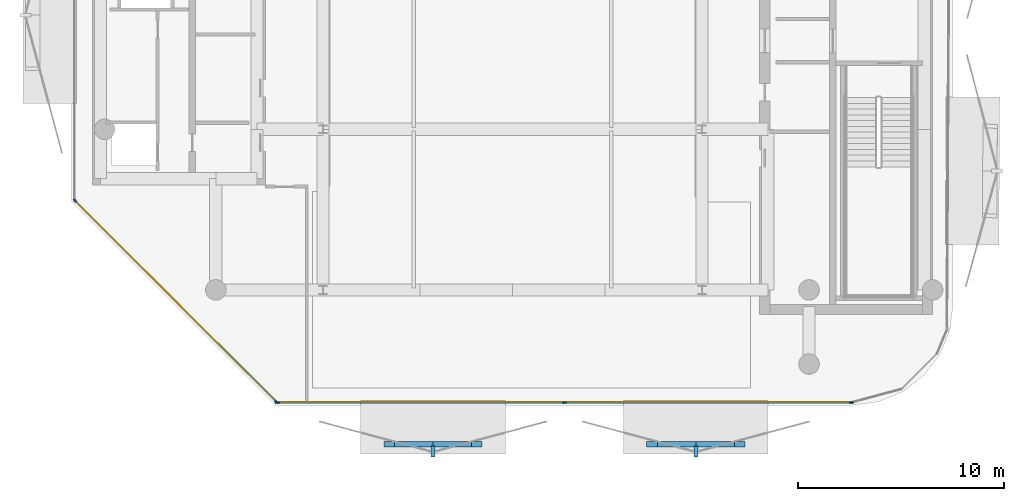
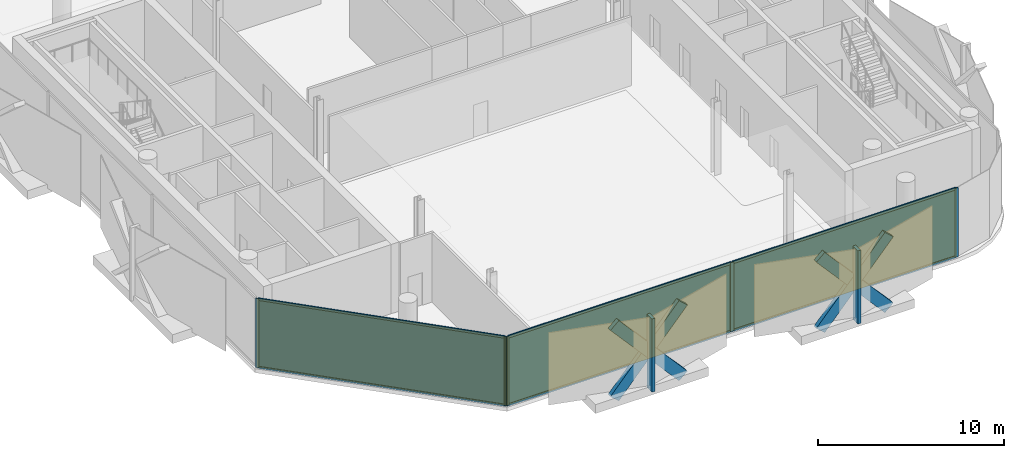
# One storey, part 7 of 15: 17 members, 3 plates, 2 curtain walls.
"""IFC4 building model written with IfcOpenShell, lengths in metres."""

from ifc_helpers import new_model, si_unit, direction, frame, frame_2d, origin, origin_2d, place, context, subcontext, project, spatial, rectangle, extrude, material, layer, layer_set, material_profile, profile_set, type_object, element, aggregate, save


model = new_model("IFC4")

# Units and contexts
model_context = context("Model", 3, precision=1e-05, world=origin(), true_north=direction((0.0, 1.0)))
body_context = subcontext(model_context, "Body", "Model", "MODEL_VIEW")
ifc_project = project(units=[si_unit("LENGTHUNIT", "METRE"), si_unit("AREAUNIT", "SQUARE_METRE"), si_unit("VOLUMEUNIT", "CUBIC_METRE"), si_unit("PLANEANGLEUNIT", "RADIAN"), si_unit("MASSUNIT", "GRAM", prefix="KILO")], contexts=[model_context])

# Member
ifc_material_1 = material(Name="Anodised Bronze Aluminium 6063-T6", Category="aluminium")
ifc_material_profile_1 = material_profile(ifc_material_1, rectangle(XDim=0.260009765625, YDim=0.699951171875, at=origin_2d()))
ifc_profile_set_1 = profile_set([ifc_material_profile_1], Name="Anodised Bronze Aluminium 6063-T6")
member_type_1 = type_object("IfcMemberType", Name="Bronze Diamond Solar-Screen Lattice Rib BDL-700", PredefinedType="MULLION", material=ifc_profile_set_1)
site_placement = place(None, origin())
building_placement = place(site_placement, origin())
storey_placement = place(building_placement, frame((0.0, 0.0, 315.60009765625)))
member_1_placement = place(storey_placement, frame((11.035400390625, -26.10009765625, -0.130126953125), z_axis=(-0.663397123652, 0.0, 0.74826750319), x_axis=(0.0, 1.0, 0.0)))
member_1 = element("IfcMember", 1, at=member_1_placement, type_object=member_type_1, Name="L76 Bronze Diamond Solar Screen Lattice Rib 534A", PredefinedType="MULLION", context=body_context, shape_type="SweptSolid", body=[
    extrude(rectangle(XDim=0.260009765625, YDim=0.699951171875, at=origin_2d()), origin(), (0.0, 0.0, 1.0), 6.414794921875),
])

member_2_placement = place(storey_placement, frame((6.77978515625, -26.10009765625, -0.130126953125), z_axis=(0.663397123652, 0.0, 0.74826750319), x_axis=(0.0, -1.0, 0.0)))
member_2 = element("IfcMember", 2, at=member_2_placement, type_object=member_type_1, Name="L76 Bronze Diamond Solar Screen Lattice Rib 534B", PredefinedType="MULLION", context=body_context, shape_type="SweptSolid", body=[
    extrude(rectangle(XDim=0.260009765625, YDim=0.699951171875, at=origin_2d()), origin(), (0.0, 0.0, 1.0), 6.414794921875),
])

member_3_placement = place(storey_placement, frame((-1.731201171875, -26.10009765625, -0.130126953125), z_axis=(-0.663375813747, 0.0, 0.74828639553), x_axis=(0.0, 1.0, 0.0)))
member_3 = element("IfcMember", 3, at=member_3_placement, type_object=member_type_1, Name="L76 Bronze Diamond Solar Screen Lattice Rib 535A", PredefinedType="MULLION", context=body_context, shape_type="SweptSolid", body=[
    extrude(rectangle(XDim=0.260009765625, YDim=0.699951171875, at=origin_2d()), origin(), (0.0, 0.0, 1.0), 6.414794921875),
])

member_4_placement = place(storey_placement, frame((-5.986572265625, -26.10009765625, -0.130126953125), z_axis=(0.663375813747, 0.0, 0.74828639553), x_axis=(0.0, -1.0, 0.0)))
member_4 = element("IfcMember", 4, at=member_4_placement, type_object=member_type_1, Name="L76 Bronze Diamond Solar Screen Lattice Rib 535B", PredefinedType="MULLION", context=body_context, shape_type="SweptSolid", body=[
    extrude(rectangle(XDim=0.260009765625, YDim=0.699951171875, at=origin_2d()), origin(), (0.0, 0.0, 1.0), 6.414794921875),
])

ifc_material_2 = material(Name="Anodised Bronze Aluminium 6063-T6", Category="aluminium")
ifc_material_profile_2 = material_profile(ifc_material_2, rectangle(XDim=0.179931640625, YDim=0.5400390625, at=origin_2d()))
ifc_profile_set_2 = profile_set([ifc_material_profile_2], Name="Anodised Bronze Aluminium 6063-T6")
member_type_2 = type_object("IfcMemberType", Name="Bronze Solar-Screen Vertical Fold Fin BSF-540", PredefinedType="MULLION", material=ifc_profile_set_2)
member_5_placement = place(storey_placement, frame((8.90771484375, -26.43994140625, -0.130126953125), z_axis=(0.0, 0.0, 1.0), x_axis=(-1.0, 0.0, 0.0)))
member_5 = element("IfcMember", 5, at=member_5_placement, type_object=member_type_2, Name="L76 Bronze Solar Screen Vertical Fin 534", PredefinedType="MULLION", context=body_context, shape_type="SweptSolid", body=[
    extrude(rectangle(XDim=0.179931640625, YDim=0.5400390625, at=origin_2d()), origin(), (0.0, 0.0, 1.0), 4.800048828125),
])

member_6_placement = place(storey_placement, frame((-3.85888671875, -26.43994140625, -0.130126953125), z_axis=(0.0, 0.0, 1.0), x_axis=(-1.0, 0.0, 0.0)))
member_6 = element("IfcMember", 6, at=member_6_placement, type_object=member_type_2, Name="L76 Bronze Solar Screen Vertical Fin 535", PredefinedType="MULLION", context=body_context, shape_type="SweptSolid", body=[
    extrude(rectangle(XDim=0.179931640625, YDim=0.5400390625, at=origin_2d()), origin(), (0.0, 0.0, 1.0), 4.800048828125),
])

ifc_material_3 = material(Name="Anodised Bronze Aluminium 6063-T6", Category="aluminium")
ifc_material_profile_3 = material_profile(ifc_material_3, rectangle(XDim=0.074951171875, YDim=0.2099609375, at=origin_2d()))
ifc_profile_set_3 = profile_set([ifc_material_profile_3], Name="Anodised Bronze Aluminium 6063-T6")
member_type_3 = type_object("IfcMemberType", Name="CW-CRN Mullion 75x210", PredefinedType="MULLION", material=ifc_profile_set_3)
member_7_placement = place(storey_placement, frame((16.453369140625, -24.06005859375, 0.0), z_axis=(0.0, 0.0, 1.0), x_axis=(0.0, -1.0, 0.0)))
member_7 = element("IfcMember", 7, at=member_7_placement, type_object=member_type_3, Name="CW-CRN mullion 1", PredefinedType="MULLION", context=body_context, shape_type="SweptSolid", body=[
    extrude(rectangle(XDim=0.074951171875, YDim=0.2099609375, at=origin_2d()), origin(), (0.0, 0.0, 1.0), 4.539794921875),
])

member_8_placement = place(storey_placement, frame((2.5244140625, -24.06005859375, 0.0), z_axis=(0.0, 0.0, 1.0), x_axis=(0.0, -1.0, 0.0)))
member_8 = element("IfcMember", 8, at=member_8_placement, type_object=member_type_3, Name="CW-CRN mullion 2", PredefinedType="MULLION", context=body_context, shape_type="SweptSolid", body=[
    extrude(rectangle(XDim=0.074951171875, YDim=0.2099609375, at=origin_2d()), origin(), (0.0, 0.0, 1.0), 4.539794921875),
])

member_9_placement = place(storey_placement, frame((-11.404541015625, -24.06005859375, 0.0), z_axis=(0.0, 0.0, 1.0), x_axis=(0.0, -1.0, 0.0)))
member_9 = element("IfcMember", 9, at=member_9_placement, type_object=member_type_3, Name="CW-CRN mullion 3", PredefinedType="MULLION", context=body_context, shape_type="SweptSolid", body=[
    extrude(rectangle(XDim=0.074951171875, YDim=0.2099609375, at=origin_2d()), origin(), (0.0, 0.0, 1.0), 4.539794921875),
])

ifc_material_4 = material(Name="Anodised Bronze Aluminium 6063-T6", Category="aluminium")
ifc_material_profile_4 = material_profile(ifc_material_4, rectangle(XDim=0.074951171875, YDim=0.1650390625, at=origin_2d()))
ifc_profile_set_4 = profile_set([ifc_material_profile_4], Name="Anodised Bronze Aluminium 6063-T6")
member_type_4 = type_object("IfcMemberType", Name="CW-CRN Transom 75x165", PredefinedType="USERDEFINED", material=ifc_profile_set_4)
member_10_placement = place(storey_placement, frame((16.415771484375, -24.06005859375, 0.037353515625), z_axis=(-1.0, 0.0, 0.0), x_axis=(0.0, -1.0, 0.0)))
member_10 = element("IfcMember", 10, at=member_10_placement, type_object=member_type_4, Name="CW-CRN transom 1.1", ObjectType="TRANSOM", PredefinedType="USERDEFINED", context=body_context, shape_type="SweptSolid", body=[
    extrude(rectangle(XDim=0.074951171875, YDim=0.1650390625, at=origin_2d()), origin(), (0.0, 0.0, 1.0), 13.853759765625),
])

member_11_placement = place(storey_placement, frame((16.415771484375, -24.06005859375, 4.50244140625), z_axis=(-1.0, 0.0, 0.0), x_axis=(0.0, -1.0, 0.0)))
member_11 = element("IfcMember", 11, at=member_11_placement, type_object=member_type_4, Name="CW-CRN transom 1.2", ObjectType="TRANSOM", PredefinedType="USERDEFINED", context=body_context, shape_type="SweptSolid", body=[
    extrude(rectangle(XDim=0.074951171875, YDim=0.1650390625, at=origin_2d()), origin(), (0.0, 0.0, 1.0), 13.853759765625),
])

member_12_placement = place(storey_placement, frame((2.48681640625, -24.06005859375, 0.037353515625), z_axis=(-1.0, 0.0, 0.0), x_axis=(0.0, -1.0, 0.0)))
member_12 = element("IfcMember", 12, at=member_12_placement, type_object=member_type_4, Name="CW-CRN transom 2.1", ObjectType="TRANSOM", PredefinedType="USERDEFINED", context=body_context, shape_type="SweptSolid", body=[
    extrude(rectangle(XDim=0.074951171875, YDim=0.1650390625, at=origin_2d()), origin(), (0.0, 0.0, 1.0), 13.853759765625),
])

member_13_placement = place(storey_placement, frame((2.48681640625, -24.06005859375, 4.50244140625), z_axis=(-1.0, 0.0, 0.0), x_axis=(0.0, -1.0, 0.0)))
member_13 = element("IfcMember", 13, at=member_13_placement, type_object=member_type_4, Name="CW-CRN transom 2.2", ObjectType="TRANSOM", PredefinedType="USERDEFINED", context=body_context, shape_type="SweptSolid", body=[
    extrude(rectangle(XDim=0.074951171875, YDim=0.1650390625, at=origin_2d()), origin(), (0.0, 0.0, 1.0), 13.853759765625),
])

ifc_material_5 = material(Name="Anodised Bronze Aluminium 6063-T6", Category="aluminium")
ifc_material_profile_5 = material_profile(ifc_material_5, rectangle(XDim=0.070068359375, YDim=0.18994140625, at=origin_2d()))
ifc_profile_set_5 = profile_set([ifc_material_profile_5], Name="Anodised Bronze Aluminium 6063-T6")
member_type_5 = type_object("IfcMemberType", Name="CW-SLC Mullion 70x190", PredefinedType="MULLION", material=ifc_profile_set_5)
member_14_placement = place(storey_placement, frame((-11.466796875, -24.03515625, 0.0), z_axis=(0.0, 0.0, 1.0), x_axis=(-0.707106781187, -0.707106781187, 0.0)))
member_14 = element("IfcMember", 14, at=member_14_placement, type_object=member_type_5, Name="CW-SLC mullion 1", PredefinedType="MULLION", context=body_context, shape_type="SweptSolid", body=[
    extrude(rectangle(XDim=0.070068359375, YDim=0.18994140625, at=origin_2d()), origin(), (0.0, 0.0, 1.0), 4.539794921875),
])

member_15_placement = place(storey_placement, frame((-21.2353515625, -14.266845703125, 0.0), z_axis=(0.0, 0.0, 1.0), x_axis=(-0.707106781187, -0.707106781187, 0.0)))
member_15 = element("IfcMember", 15, at=member_15_placement, type_object=member_type_5, Name="CW-SLC mullion 2", PredefinedType="MULLION", context=body_context, shape_type="SweptSolid", body=[
    extrude(rectangle(XDim=0.070068359375, YDim=0.18994140625, at=origin_2d()), origin(), (0.0, 0.0, 1.0), 4.539794921875),
])

ifc_material_6 = material(Name="Anodised Bronze Aluminium 6063-T6", Category="aluminium")
ifc_material_profile_6 = material_profile(ifc_material_6, rectangle(XDim=0.070068359375, YDim=0.14990234375, at=origin_2d()))
ifc_profile_set_6 = profile_set([ifc_material_profile_6], Name="Anodised Bronze Aluminium 6063-T6")
member_type_6 = type_object("IfcMemberType", Name="CW-SLC Transom 70x150", PredefinedType="USERDEFINED", material=ifc_profile_set_6)
member_16_placement = place(storey_placement, frame((-11.491455078125, -24.010498046875, 0.034912109375), z_axis=(-0.707106781187, 0.707106781187, 0.0), x_axis=(-0.707106781187, -0.707106781187, 0.0)))
member_16 = element("IfcMember", 16, at=member_16_placement, type_object=member_type_6, Name="CW-SLC transom 1.1", ObjectType="TRANSOM", PredefinedType="USERDEFINED", context=body_context, shape_type="SweptSolid", body=[
    extrude(rectangle(XDim=0.070068359375, YDim=0.14990234375, at=origin_2d()), origin(), (0.0, 0.0, 1.0), 13.74462890625),
])

member_17_placement = place(storey_placement, frame((-11.491455078125, -24.010498046875, 4.5048828125), z_axis=(-0.707106781187, 0.707106781187, 0.0), x_axis=(-0.707106781187, -0.707106781187, 0.0)))
member_17 = element("IfcMember", 17, at=member_17_placement, type_object=member_type_6, Name="CW-SLC transom 1.2", ObjectType="TRANSOM", PredefinedType="USERDEFINED", context=body_context, shape_type="SweptSolid", body=[
    extrude(rectangle(XDim=0.070068359375, YDim=0.14990234375, at=origin_2d()), origin(), (0.0, 0.0, 1.0), 13.74462890625),
])

# Plate
ifc_material_7 = material(Name="Low-E Solar Control Laminated Glass", Category="glass")
ifc_layer_1 = layer(ifc_material_7, 0.035888671875, Name="Low-E Solar Control Laminated Glass")
ifc_layer_set_1 = layer_set([ifc_layer_1], Name="Low-E Solar Control Laminated Glass")
plate_type_1 = type_object("IfcPlateType", Name="CW-CRN Low-E Double Glazed Panel 36mm", PredefinedType="CURTAIN_PANEL", material=ifc_layer_set_1)
plate_1_placement = place(storey_placement, frame((9.48876953125, -24.06005859375, 0.0751953125), z_axis=(0.0, 0.0, 1.0), x_axis=(-1.0, 0.0, 0.0)))
plate_1 = element("IfcPlate", 18, at=plate_1_placement, type_object=plate_type_1, Name="CW-CRN panel 1.1", PredefinedType="CURTAIN_PANEL", context=body_context, shape_type="SweptSolid", body=[
    extrude(rectangle(XDim=13.85400390625, YDim=0.035888671875, at=origin_2d()), origin(), (0.0, 0.0, 1.0), 4.389892578125),
])

plate_2_placement = place(storey_placement, frame((-4.43994140625, -24.06005859375, 0.0751953125), z_axis=(0.0, 0.0, 1.0), x_axis=(-1.0, 0.0, 0.0)))
plate_2 = element("IfcPlate", 19, at=plate_2_placement, type_object=plate_type_1, Name="CW-CRN panel 2.1", PredefinedType="CURTAIN_PANEL", context=body_context, shape_type="SweptSolid", body=[
    extrude(rectangle(XDim=13.85400390625, YDim=0.035888671875, at=origin_2d()), origin(), (0.0, 0.0, 1.0), 4.389892578125),
])

ifc_material_8 = material(Name="Low-E Solar Control Laminated Glass", Category="glass")
ifc_layer_2 = layer(ifc_material_8, 0.033935546875, Name="Low-E Solar Control Laminated Glass")
ifc_layer_set_2 = layer_set([ifc_layer_2], Name="Low-E Solar Control Laminated Glass")
plate_type_2 = type_object("IfcPlateType", Name="CW-SLC Low-E Double Glazed Panel 34mm", PredefinedType="CURTAIN_PANEL", material=ifc_layer_set_2)
plate_3_placement = place(storey_placement, frame((-16.35107421875, -19.15087890625, 0.070068359375), z_axis=(0.0, 0.0, 1.0), x_axis=(-0.707106781187, 0.707106781187, 0.0)))
plate_3 = element("IfcPlate", 20, at=plate_3_placement, type_object=plate_type_2, Name="CW-SLC panel 1.1", PredefinedType="CURTAIN_PANEL", context=body_context, shape_type="SweptSolid", body=[
    extrude(rectangle(XDim=13.74462890625, YDim=0.033935546875, at=origin_2d()), origin(), (0.0, 0.0, 1.0), 4.39990234375),
])

# Site, building, storey
site = spatial("IfcSite", under=ifc_project, at=site_placement, CompositionType="ELEMENT")
building = spatial("IfcBuilding", under=site, at=building_placement, Name="Khairoan Windgate Tower", CompositionType="ELEMENT")
storey = spatial("IfcBuildingStorey", under=building, at=storey_placement, Name="L76", CompositionType="ELEMENT", Elevation=315.60009765625)

# Curtain wall
ifc_material_9 = material(Name="Anodised Bronze Aluminium 6063-T6", Category="aluminium")
ifc_layer_3 = layer(ifc_material_9, 0.2099609375, Name="Anodised Bronze Aluminium 6063-T6")
ifc_layer_set_3 = layer_set([ifc_layer_3], Name="Anodised Bronze Aluminium 6063-T6")
curtain_wall_type_1 = type_object("IfcCurtainWallType", Name="Crown Observation and Vitrine Curtain Wall CW-CRN", PredefinedType="NOTDEFINED", material=ifc_layer_set_3)
curtain_wall_1_placement = place(storey_placement, frame((16.49072265625, -24.06005859375, 0.0), z_axis=(0.0, 0.0, 1.0), x_axis=(-1.0, 0.0, 0.0)))
curtain_wall_1 = element("IfcCurtainWall", 21, at=curtain_wall_1_placement, inside=storey, type_object=curtain_wall_type_1, Name="L76 Unitised Curtain Wall 1", PredefinedType="NOTDEFINED", context=body_context, shape_type="SweptSolid", body=[
    extrude(rectangle(XDim=27.9326171875, YDim=0.010009765625, at=frame_2d((13.96630859375, 0.0))), origin(), (0.0, 0.0, 1.0), 4.539794921875),
])

aggregate(curtain_wall_1, [member_7, member_8, member_9, member_10, member_11, plate_1, member_12, member_13, plate_2, member_1, member_2, member_5, member_3, member_4, member_6])

ifc_material_10 = material(Name="Anodised Bronze Aluminium 6063-T6", Category="aluminium")
ifc_layer_4 = layer(ifc_material_10, 0.18994140625, Name="Anodised Bronze Aluminium 6063-T6")
ifc_layer_set_4 = layer_set([ifc_layer_4], Name="Anodised Bronze Aluminium 6063-T6")
curtain_wall_type_2 = type_object("IfcCurtainWallType", Name="Diagonal Corner-Slice Facet Curtain Wall CW-SLC", PredefinedType="NOTDEFINED", material=ifc_layer_set_4)
curtain_wall_2_placement = place(storey_placement, frame((-11.44189453125, -24.06005859375, 0.0), z_axis=(0.0, 0.0, 1.0), x_axis=(-0.707106781187, 0.707106781187, 0.0)))
curtain_wall_2 = element("IfcCurtainWall", 22, at=curtain_wall_2_placement, inside=storey, type_object=curtain_wall_type_2, Name="L76 Crystal Slice Curtain Wall 2", PredefinedType="NOTDEFINED", context=body_context, shape_type="SweptSolid", body=[
    extrude(rectangle(XDim=13.885009765625, YDim=0.010009765625, at=frame_2d((6.9423828125, 0.0))), origin(), (0.0, 0.0, 1.0), 4.539794921875),
])

aggregate(curtain_wall_2, [member_14, member_15, member_16, member_17, plate_3])

save(model, "model.ifc")
